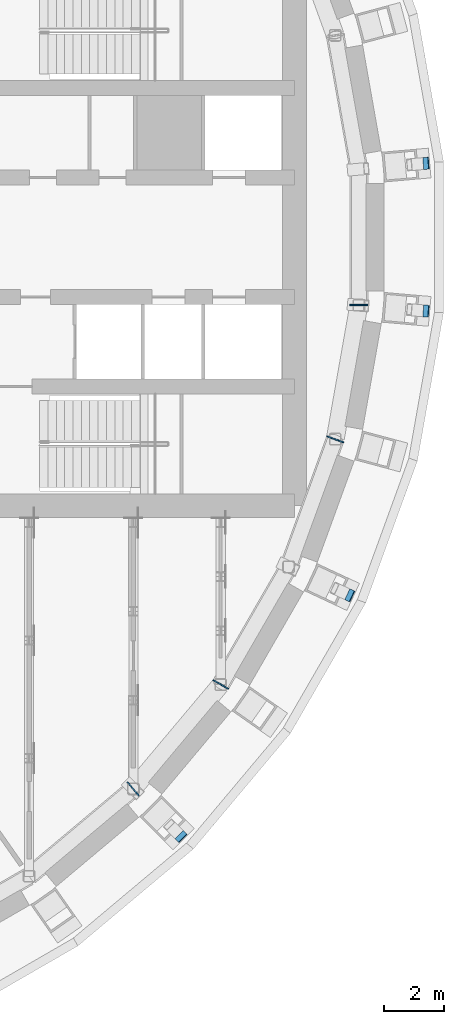
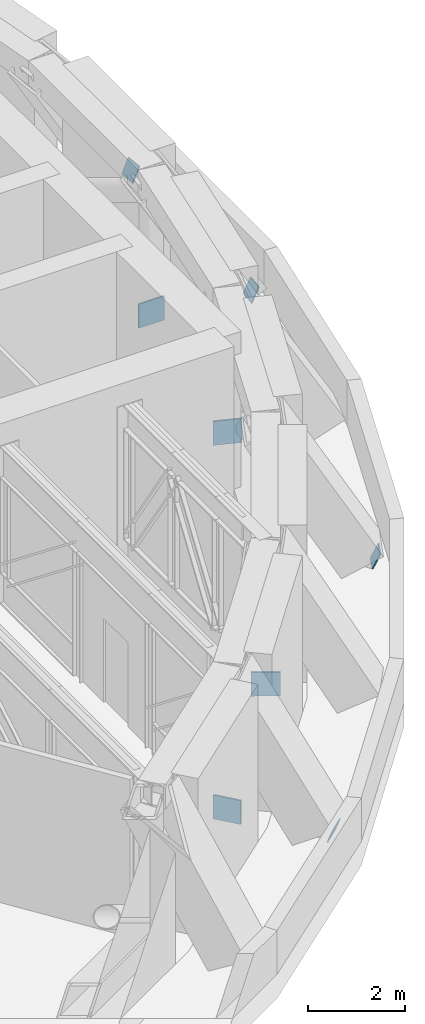
# One storey, part 16 of 19: 8 discrete accessories.
"""IFC4 building model written with IfcOpenShell, lengths in metres."""

from ifc_helpers import new_model, si_unit, direction, frame, origin, origin_2d, place, context, subcontext, project, spatial, rectangle, extrude, material, material_profile, profile_set, type_object, element, save


model = new_model("IFC4")

# Units and contexts
model_context = context("Model", 3, precision=1e-05, world=origin(), true_north=direction((0.0, 1.0)))
body_context = subcontext(model_context, "Body", "Model", "MODEL_VIEW")
ifc_project = project(units=[si_unit("LENGTHUNIT", "METRE"), si_unit("AREAUNIT", "SQUARE_METRE"), si_unit("VOLUMEUNIT", "CUBIC_METRE"), si_unit("PLANEANGLEUNIT", "RADIAN"), si_unit("MASSUNIT", "GRAM", prefix="KILO")], contexts=[model_context])

# Site, building, storey
site_placement = place(None, origin())
site = spatial("IfcSite", under=ifc_project, at=site_placement, CompositionType="ELEMENT")
building_placement = place(site_placement, origin())
building = spatial("IfcBuilding", under=site, at=building_placement, Name="Saqina Gate Tower", CompositionType="ELEMENT")
storey_placement = place(building_placement, frame((0.0, 0.0, 82.39990234375)))
storey = spatial("IfcBuildingStorey", under=building, at=storey_placement, Name="L23", CompositionType="ELEMENT", Elevation=82.39990234375)

# Discrete accessories
ifc_material_1 = material(Name="Steel S460", Category="steel")
ifc_material_profile_1 = material_profile(ifc_material_1, rectangle(XDim=0.39990234375, YDim=0.39990234375, at=origin_2d()), Name="STR-END PLATE-BOX 400x400x30")
ifc_profile_set_1 = profile_set([ifc_material_profile_1], Name="Steel S460")
discrete_accessory_type_1 = type_object("IfcDiscreteAccessoryType", Name="STR-END PLATE-BOX 400x400x30", PredefinedType="USERDEFINED", material=ifc_profile_set_1)
discrete_accessory_1_placement = place(storey_placement, frame((28.2919921875, 2.475341796875, 0.18212890625), z_axis=(0.906220587302, 0.073477344916, -0.416371621193), x_axis=(0.080815376223, -0.99672908805, -1.079054e-06)))
element("IfcDiscreteAccessory", 1, at=discrete_accessory_1_placement, inside=storey, type_object=discrete_accessory_type_1, Name="END PLATE NODE TIE BEAM L23 01 FOOT START", ObjectType="END PLATE", PredefinedType="USERDEFINED", context=body_context, shape_type="SweptSolid", body=[
    extrude(rectangle(XDim=0.39990234375, YDim=0.39990234375, at=origin_2d()), origin(), (0.0, 0.0, 1.0), 0.02978515625),
])
for number, where, z_axis, x_axis, name in (
    (2, (20.081787109375, -20.081787109375, 0.18212890625), (0.643255081633, -0.643255081633, -0.415265938776), (-0.707106781187, -0.707106781187, 0.0), "END PLATE NODE TIE BEAM L23 32 FOOT START"),
    (3, (25.7392578125, -12.00244140625, 0.18212890625), (0.824359337042, -0.383612760802, -0.416260655338), (-0.421905092484, -0.906640001816, -6.554031e-06), "END PLATE NODE TIE BEAM L23 34 FOOT START"),
):
    element("IfcDiscreteAccessory", number, at=place(storey_placement, frame(where, z_axis=z_axis, x_axis=x_axis)), inside=storey, type_object=discrete_accessory_type_1, Name=name, ObjectType="END PLATE", PredefinedType="USERDEFINED", context=body_context, shape_type="SweptSolid", body=[
        extrude(rectangle(XDim=0.39990234375, YDim=0.39990234375, at=origin_2d()), origin(), (0.0, 0.0, 1.0), 0.030029296875),
    ])
discrete_accessory_2_placement = place(storey_placement, frame((28.2919921875, -2.475341796875, 0.18212890625), z_axis=(0.906220587302, -0.073477344916, -0.416371621193), x_axis=(-0.080815376223, -0.99672908805, 1.079054e-06)))
element("IfcDiscreteAccessory", 4, at=discrete_accessory_2_placement, inside=storey, type_object=discrete_accessory_type_1, Name="END PLATE NODE TIE BEAM L23 36 FOOT START", ObjectType="END PLATE", PredefinedType="USERDEFINED", context=body_context, shape_type="SweptSolid", body=[
    extrude(rectangle(XDim=0.39990234375, YDim=0.39990234375, at=origin_2d()), origin(), (0.0, 0.0, 1.0), 0.02978515625),
])
ifc_material_2 = material(Name="Steel S460", Category="steel")
ifc_material_profile_2 = material_profile(ifc_material_2, rectangle(XDim=0.60009765625, YDim=0.60009765625, at=origin_2d()), Name="STR-END PLATE-BOX 600x600x50")
ifc_profile_set_2 = profile_set([ifc_material_profile_2], Name="Steel S460")
discrete_accessory_type_2 = type_object("IfcDiscreteAccessoryType", Name="STR-END PLATE-BOX 600x600x50", PredefinedType="USERDEFINED", material=ifc_profile_set_2)
discrete_accessory_3_placement = place(storey_placement, frame((18.470703125, -18.5078125, 0.300048828125), z_axis=(0.765226087432, 0.643761629109, 0.0), x_axis=(-0.643761629109, 0.765226087432, 0.0)))
element("IfcDiscreteAccessory", 5, at=discrete_accessory_3_placement, inside=storey, type_object=discrete_accessory_type_2, Name="END PLATE BELT TRUSS L23 CHORD 071 END", ObjectType="END PLATE", PredefinedType="USERDEFINED", context=body_context, shape_type="SweptSolid", body=[
    extrude(rectangle(XDim=0.60009765625, YDim=0.60009765625, at=origin_2d()), origin(), (0.0, 0.0, 1.0), 0.040283203125),
])
discrete_accessory_4_placement = place(storey_placement, frame((21.433837890625, -14.976318359375, 0.300048828125), z_axis=(-0.495480037667, -0.868619325293, 0.0), x_axis=(-0.868619325293, 0.495480037667, 0.0)))
element("IfcDiscreteAccessory", 6, at=discrete_accessory_4_placement, inside=storey, type_object=discrete_accessory_type_2, Name="END PLATE BELT TRUSS L23 CHORD 075 START", ObjectType="END PLATE", PredefinedType="USERDEFINED", context=body_context, shape_type="SweptSolid", body=[
    extrude(rectangle(XDim=0.60009765625, YDim=0.60009765625, at=origin_2d()), origin(), (0.0, 0.0, 1.0), 0.039794921875),
])
for number, where, z_axis, x_axis, name in (
    (7, (25.25, -6.792724609375, 0.300048828125), (0.341743063087, 0.939793423488, 0.0), (-0.939793423488, 0.341743063087, 0.0), "END PLATE BELT TRUSS L23 CHORD 078 END"),
    (8, (26.050537109375, -2.2529296875, 0.300048828125), (0.0, -1.0, 0.0), (-1.0, 0.0, 0.0), "END PLATE BELT TRUSS L23 CHORD 082 START"),
):
    element("IfcDiscreteAccessory", number, at=place(storey_placement, frame(where, z_axis=z_axis, x_axis=x_axis)), inside=storey, type_object=discrete_accessory_type_2, Name=name, ObjectType="END PLATE", PredefinedType="USERDEFINED", context=body_context, shape_type="SweptSolid", body=[
        extrude(rectangle(XDim=0.60009765625, YDim=0.60009765625, at=origin_2d()), origin(), (0.0, 0.0, 1.0), 0.0400390625),
    ])

save(model, "model.ifc")
